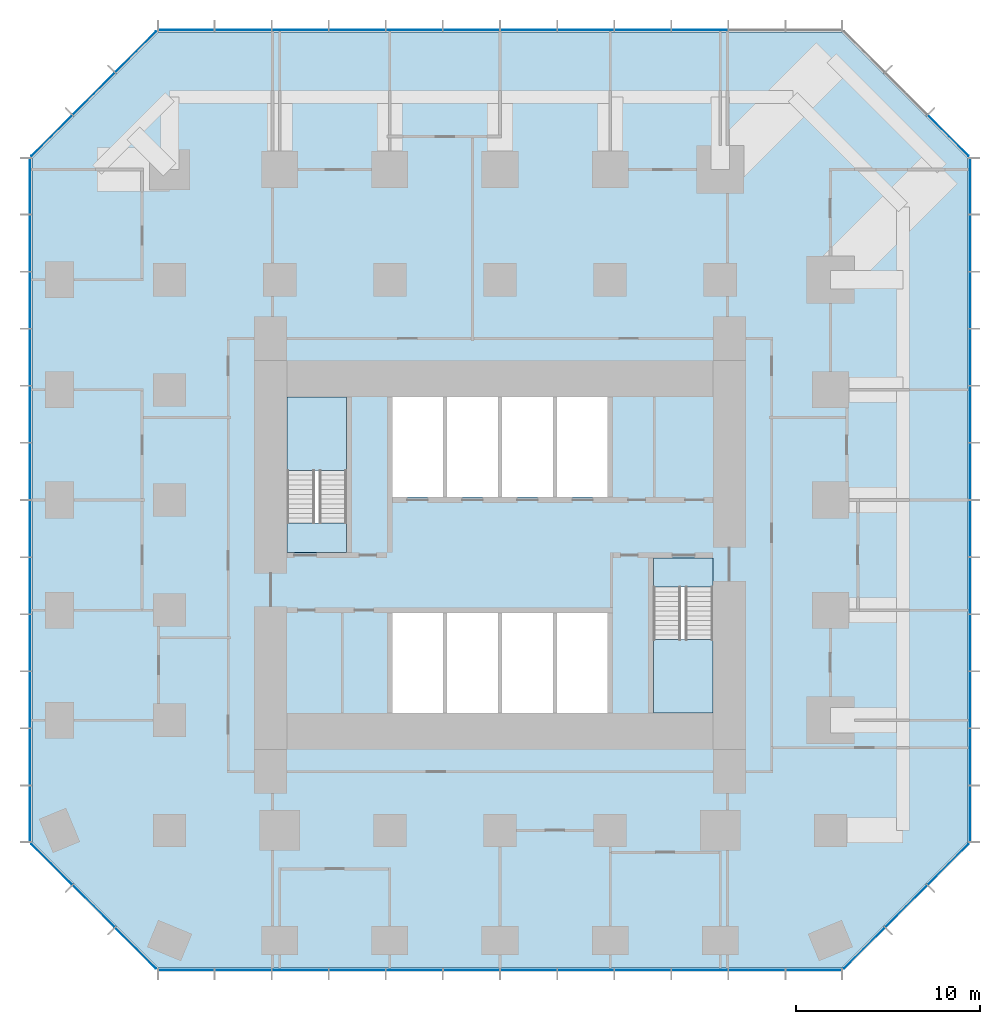
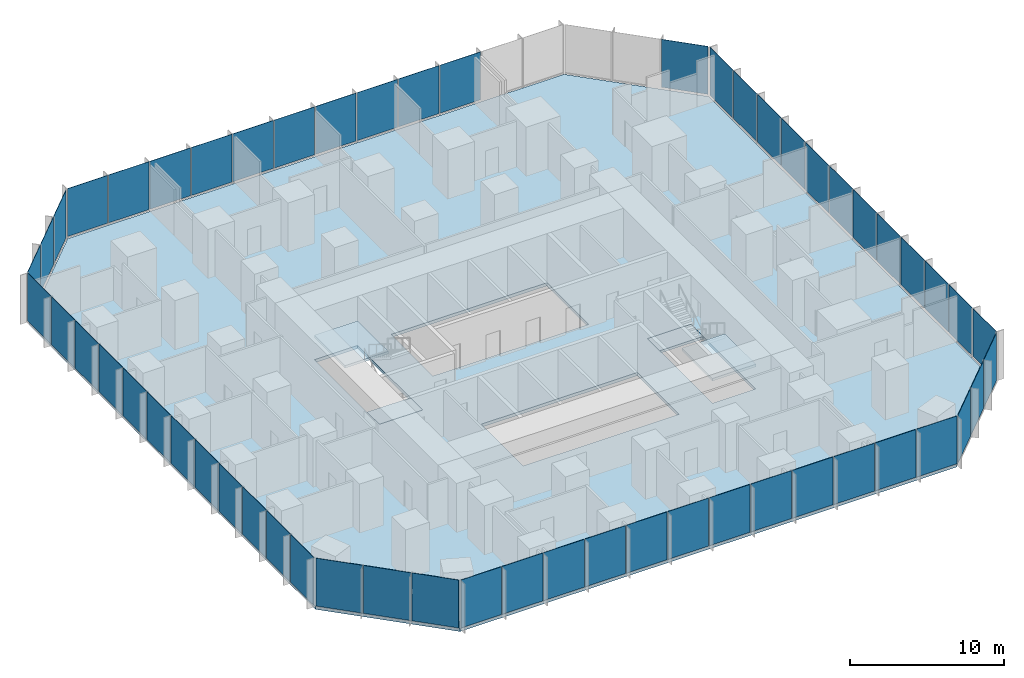
# One storey, part 7 of 12: 56 plates, 5 slabs, 10 elements without a shape of their own.
"""IFC4 building model written with IfcOpenShell, lengths in metres."""

import ifcopenshell
import ifcopenshell.guid

model = None  # the IFC model being written
_history = None  # IfcOwnerHistory: only IFC2X3 demands one
_inside = {}  # id of a spatial element -> (the spatial element, [elements in it])
_under = {}  # id of a project, library or spatial element -> (it, [spatial elements below it])
_declared = {}  # id of a project -> (the project, [libraries it declares])
_typed = {}  # id of a type object -> (the type object, [elements of that type])
_made_of = {}  # id of a material, layer set ... -> (it, [elements and type objects made of it])


def new_model(schema):
    """Start an empty IFC model of exactly this schema.

    Asked for "IFC4X3", IfcOpenShell would pick the latest addendum, in which some entities
    have other attributes; the version numbers below select the first issue.
    IFC2X3 requires an IfcOwnerHistory on every rooted entity: one is made here for all.
    """
    global model, _history
    if schema == "IFC4X3":
        model = ifcopenshell.file(schema_version=(4, 3, 0, 0))
    else:
        model = ifcopenshell.file(schema=schema)
    _inside.clear()
    _under.clear()
    _declared.clear()
    _typed.clear()
    _made_of.clear()
    _history = None
    if model.schema == "IFC2X3":
        org = make("IfcOrganization", Name="unknown")
        user = make(
            "IfcPersonAndOrganization",
            ThePerson=make("IfcPerson", FamilyName="unknown"),
            TheOrganization=org,
        )
        app = make(
            "IfcApplication",
            ApplicationDeveloper=org,
            Version="unknown",
            ApplicationFullName="unknown",
            ApplicationIdentifier="unknown",
        )
        _history = make(
            "IfcOwnerHistory",
            OwningUser=user,
            OwningApplication=app,
            ChangeAction="ADDED",
            CreationDate=0,
        )
    return model


def make(cls, **values):
    """One entity of the class cls with the attributes given. An attribute that is None is left unset."""
    return model.create_entity(
        cls, **{name: value for name, value in values.items() if value is not None}
    )


def rooted(cls, **values):
    """An entity with a GlobalId (a new one), such as an element, a storey or a relation."""
    return make(cls, GlobalId=ifcopenshell.guid.new(), OwnerHistory=_history, **values)


def si_unit(unit_type, name, prefix=None):
    """IfcSIUnit, for example si_unit("LENGTHUNIT", "METRE", prefix="MILLI")."""
    return make("IfcSIUnit", UnitType=unit_type, Prefix=prefix, Name=name)


def assignment(units):
    """IfcUnitAssignment: the units of a project."""
    return None if units is None else make("IfcUnitAssignment", Units=units)


def point(xyz):
    """IfcCartesianPoint."""
    return None if xyz is None else make("IfcCartesianPoint", Coordinates=xyz)


def direction(xyz):
    """IfcDirection."""
    return None if xyz is None else make("IfcDirection", DirectionRatios=xyz)


def frame(location, z_axis=None, x_axis=None):
    """IfcAxis2Placement3D, a coordinate frame: its origin and axes. An axis left out is left unset."""
    return make(
        "IfcAxis2Placement3D",
        Location=point(location),
        Axis=direction(z_axis),
        RefDirection=direction(x_axis),
    )


def frame_2d(location, x_axis=None):
    """IfcAxis2Placement2D, a coordinate frame in the plane: its origin and x axis."""
    return make(
        "IfcAxis2Placement2D", Location=point(location), RefDirection=direction(x_axis)
    )


def origin():
    """The frame at (0, 0, 0) with its axes left unset."""
    return frame((0.0, 0.0, 0.0))


def origin_2d():
    """The frame at (0, 0) in the plane with its x axis left unset."""
    return frame_2d((0.0, 0.0))


def place(relative_to, where):
    """IfcLocalPlacement: puts the frame where relative to a parent placement (None: the world)."""
    return make(
        "IfcLocalPlacement", PlacementRelTo=relative_to, RelativePlacement=where
    )


def context(
    kind, dimensions, precision=None, world=None, true_north=None, identifier=None
):
    """IfcGeometricRepresentationContext, for example the 3D "Model" context."""
    return make(
        "IfcGeometricRepresentationContext",
        ContextIdentifier=identifier,
        ContextType=kind,
        CoordinateSpaceDimension=dimensions,
        Precision=precision,
        WorldCoordinateSystem=world,
        TrueNorth=true_north,
    )


def subcontext(parent, identifier, kind, view, scale=None):
    """IfcGeometricRepresentationSubContext, for example "Body" below "Model"."""
    return make(
        "IfcGeometricRepresentationSubContext",
        ContextIdentifier=identifier,
        ContextType=kind,
        ParentContext=parent,
        TargetScale=scale,
        TargetView=view,
    )


def project(units=None, contexts=None):
    """IfcProject with its units and contexts."""
    return rooted(
        "IfcProject",
        Name="project",
        RepresentationContexts=contexts,
        UnitsInContext=assignment(units),
    )


def spatial(cls, under=None, at=None, **own):
    """A site, building, storey or space (cls), placed at a placement, below another one or the project."""
    s = rooted(cls, ObjectPlacement=at, **own)
    if under is not None:
        _under.setdefault(under.id(), (under, []))[1].append(s)
    return s


def polyline(points):
    """IfcPolyline through the points."""
    return make("IfcPolyline", Points=[point(p) for p in points])


def profile(cls, at=None, kind="AREA", **sizes):
    """A parametric profile (cls). Its sizes go by their IFC names, for example OverallWidth=200.0."""
    return make(cls, ProfileType=kind, Position=at, **sizes)


def rectangle(**sizes):
    """IfcRectangleProfileDef."""
    return profile("IfcRectangleProfileDef", **sizes)


def outline(outer, holes=None, kind="AREA"):
    """IfcArbitraryClosedProfileDef: a profile drawn as a closed curve; with holes, ...WithVoids."""
    if holes is None:
        return make("IfcArbitraryClosedProfileDef", ProfileType=kind, OuterCurve=outer)
    return make(
        "IfcArbitraryProfileDefWithVoids",
        ProfileType=kind,
        OuterCurve=outer,
        InnerCurves=holes,
    )


def extrude(swept, where, along, depth):
    """IfcExtrudedAreaSolid: the profile swept, set in the frame where, extruded along a direction by depth."""
    return make(
        "IfcExtrudedAreaSolid",
        SweptArea=swept,
        Position=where,
        ExtrudedDirection=direction(along),
        Depth=depth,
    )


def shape(context_of_items, identifier, shape_type, items):
    """IfcShapeRepresentation: the items that make up one representation, for example the "Body"."""
    return make(
        "IfcShapeRepresentation",
        ContextOfItems=context_of_items,
        RepresentationIdentifier=identifier,
        RepresentationType=shape_type,
        Items=items,
    )


def material(Name=None, Category=None):
    """IfcMaterial."""
    return make("IfcMaterial", Name=Name, Category=Category)


def layer(
    of_material, thickness, ventilated=None, Name=None, Category=None, Priority=None
):
    """IfcMaterialLayer: one layer of a wall or slab, of a material (None: an air gap)."""
    return make(
        "IfcMaterialLayer",
        Material=of_material,
        LayerThickness=thickness,
        IsVentilated=ventilated,
        Name=Name,
        Category=Category,
        Priority=Priority,
    )


def layer_set(layers, Name=None):
    """IfcMaterialLayerSet."""
    return make("IfcMaterialLayerSet", MaterialLayers=layers, LayerSetName=Name)


def made_of(thing, what):
    """Note that an element or type object is made of a material, layer set ...; save() writes the relation."""
    if what is not None:
        _made_of.setdefault(what.id(), (what, []))[1].append(thing)
    return thing


def type_object(cls, material=None, **own):
    """A type object (cls), such as IfcWallType, which elements share."""
    return made_of(rooted(cls, **own), material)


def element(
    cls,
    number,
    at=None,
    inside=None,
    cuts=None,
    type_object=None,
    material=None,
    context=None,
    identifier="Body",
    shape_type=None,
    held_by="IfcProductDefinitionShape",
    body=None,
    shapes=None,
    **own,
):
    """One element of the class cls, such as IfcWall. Its Tag is "e" and its number.

    at: its placement. inside: the storey or other place that contains it. cuts: it is an
    opening in that element (IfcRelVoidsElement). A single representation is given by context,
    identifier, shape_type and body (its items); several are given by shapes. held_by: the class
    of the entity that holds the representations. save() writes the other relations.
    """
    e = rooted(cls, Tag="e%d" % number, ObjectPlacement=at, **own)
    if body is not None:
        shapes = [shape(context, identifier, shape_type, body)]
    if shapes is not None:
        e.Representation = make(held_by, Representations=shapes)
    if inside is not None:
        _inside.setdefault(inside.id(), (inside, []))[1].append(e)
    if cuts is not None:
        rooted(
            "IfcRelVoidsElement", RelatingBuildingElement=cuts, RelatedOpeningElement=e
        )
    if type_object is not None:
        _typed.setdefault(type_object.id(), (type_object, []))[1].append(e)
    return made_of(e, material)


def aggregate(whole, parts):
    """IfcRelAggregates: a whole, such as a stair, and the parts it consists of."""
    return rooted("IfcRelAggregates", RelatingObject=whole, RelatedObjects=parts)


def save(model, path):
    """Write the relations noted so far, then the file.

    IfcRelAggregates (storeys below a building ...), IfcRelContainedInSpatialStructure (elements
    in a storey), IfcRelDefinesByType, IfcRelAssociatesMaterial and IfcRelDeclares: one each for
    every whole, place, type object, material and project.
    """
    for whole, parts in _under.values():
        aggregate(whole, parts)
    for where, things in _inside.values():
        rooted(
            "IfcRelContainedInSpatialStructure",
            RelatedElements=things,
            RelatingStructure=where,
        )
    for kind, things in _typed.values():
        rooted("IfcRelDefinesByType", RelatedObjects=things, RelatingType=kind)
    for what, things in _made_of.values():
        rooted("IfcRelAssociatesMaterial", RelatedObjects=things, RelatingMaterial=what)
    for by, libraries in _declared.values():
        rooted("IfcRelDeclares", RelatingContext=by, RelatedDefinitions=libraries)
    model.write(path)


model = new_model("IFC4")

# Units and contexts
model_context = context("Model", 3, precision=1e-05, world=origin(), true_north=direction((0.0, 1.0)))
body_context = subcontext(model_context, "Body", "Model", "MODEL_VIEW")
ifc_project = project(units=[si_unit("LENGTHUNIT", "METRE"), si_unit("AREAUNIT", "SQUARE_METRE"), si_unit("VOLUMEUNIT", "CUBIC_METRE"), si_unit("PLANEANGLEUNIT", "RADIAN"), si_unit("MASSUNIT", "GRAM", prefix="KILO")], contexts=[model_context])

# Site, building, storey
site_placement = place(None, origin())
site = spatial("IfcSite", under=ifc_project, at=site_placement, CompositionType="ELEMENT")
building_placement = place(site_placement, origin())
building = spatial("IfcBuilding", under=site, at=building_placement, Name="Highveld Stack Headquarters", CompositionType="ELEMENT")
storey_placement = place(building_placement, frame((0.0, 0.0, 68.89990234375)))
storey = spatial("IfcBuildingStorey", under=building, at=storey_placement, Name="L16", CompositionType="ELEMENT", Elevation=68.89990234375)

# Curtain wall, plates
ifc_material_1 = material(Name="Aluminium bronze anodised", Category="aluminium")
ifc_layer_1 = layer(ifc_material_1, 0.199951171875)
ifc_layer_set_1 = layer_set([ifc_layer_1], Name="Aluminium bronze anodised")
curtain_wall_type_1 = type_object("IfcCurtainWallType", Name="CW1 TOWER UNITISED CURTAIN WALL", PredefinedType="NOTDEFINED", material=ifc_layer_set_1)
curtain_wall_1_placement = place(storey_placement, origin())
curtain_wall_1 = element("IfcCurtainWall", 1, at=curtain_wall_1_placement, inside=storey, type_object=curtain_wall_type_1, Name="Curtain wall CW1 L16 S", PredefinedType="NOTDEFINED")
ifc_material_2 = material(Name="Glass bronze tinted double glazed unit", Category="glass")
ifc_layer_2 = layer(ifc_material_2, 0.028076171875)
ifc_layer_set_2 = layer_set([ifc_layer_2], Name="Glass bronze tinted double glazed unit")
plate_type_1 = type_object("IfcPlateType", Name="CW1 PANEL BRONZE TINTED DOUBLE GLAZED UNIT", PredefinedType="CURTAIN_PANEL", material=ifc_layer_set_2)
plate_1_placement = place(storey_placement, frame((-11.09130859375, -19.60009765625, 0.10009765625), z_axis=(0.0, 0.0, 1.0), x_axis=(1.0, 0.0, 0.0)))
plate_1 = element("IfcPlate", 2, at=plate_1_placement, type_object=plate_type_1, Name="CW1 panel L16 1.1", PredefinedType="CURTAIN_PANEL", context=body_context, shape_type="SweptSolid", body=[
    extrude(rectangle(XDim=3.012939453125, YDim=0.028076171875, at=origin_2d()), origin(), (0.0, 0.0, 1.0), 3.800048828125),
])
plate_2_placement = place(storey_placement, frame((-7.9970703125, -19.60009765625, 0.10009765625), z_axis=(0.0, 0.0, 1.0), x_axis=(1.0, 0.0, 0.0)))
plate_2 = element("IfcPlate", 3, at=plate_2_placement, type_object=plate_type_1, Name="CW1 panel L16 2.1", PredefinedType="CURTAIN_PANEL", context=body_context, shape_type="SweptSolid", body=[
    extrude(rectangle(XDim=3.04541015625, YDim=0.028076171875, at=origin_2d()), origin(), (0.0, 0.0, 1.0), 3.800048828125),
])
plate_3_placement = place(storey_placement, frame((-4.88671875, -19.60009765625, 0.10009765625), z_axis=(0.0, 0.0, 1.0), x_axis=(1.0, 0.0, 0.0)))
plate_3 = element("IfcPlate", 4, at=plate_3_placement, type_object=plate_type_1, Name="CW1 panel L16 3.1", PredefinedType="CURTAIN_PANEL", context=body_context, shape_type="SweptSolid", body=[
    extrude(rectangle(XDim=3.04541015625, YDim=0.028076171875, at=origin_2d()), origin(), (0.0, 0.0, 1.0), 3.800048828125),
])
plate_4_placement = place(storey_placement, frame((-1.776123046875, -19.60009765625, 0.10009765625), z_axis=(0.0, 0.0, 1.0), x_axis=(1.0, 0.0, 0.0)))
plate_4 = element("IfcPlate", 5, at=plate_4_placement, type_object=plate_type_1, Name="CW1 panel L16 4.1", PredefinedType="CURTAIN_PANEL", context=body_context, shape_type="SweptSolid", body=[
    extrude(rectangle(XDim=3.04541015625, YDim=0.028076171875, at=origin_2d()), origin(), (0.0, 0.0, 1.0), 3.800048828125),
])
plate_5_placement = place(storey_placement, frame((1.334228515625, -19.60009765625, 0.10009765625), z_axis=(0.0, 0.0, 1.0), x_axis=(1.0, 0.0, 0.0)))
plate_5 = element("IfcPlate", 6, at=plate_5_placement, type_object=plate_type_1, Name="CW1 panel L16 5.1", PredefinedType="CURTAIN_PANEL", context=body_context, shape_type="SweptSolid", body=[
    extrude(rectangle(XDim=3.04541015625, YDim=0.028076171875, at=origin_2d()), origin(), (0.0, 0.0, 1.0), 3.800048828125),
])
plate_6_placement = place(storey_placement, frame((4.44482421875, -19.60009765625, 0.10009765625), z_axis=(0.0, 0.0, 1.0), x_axis=(1.0, 0.0, 0.0)))
plate_6 = element("IfcPlate", 7, at=plate_6_placement, type_object=plate_type_1, Name="CW1 panel L16 6.1", PredefinedType="CURTAIN_PANEL", context=body_context, shape_type="SweptSolid", body=[
    extrude(rectangle(XDim=3.04541015625, YDim=0.028076171875, at=origin_2d()), origin(), (0.0, 0.0, 1.0), 3.800048828125),
])
plate_7_placement = place(storey_placement, frame((7.55517578125, -19.60009765625, 0.10009765625), z_axis=(0.0, 0.0, 1.0), x_axis=(1.0, 0.0, 0.0)))
plate_7 = element("IfcPlate", 8, at=plate_7_placement, type_object=plate_type_1, Name="CW1 panel L16 7.1", PredefinedType="CURTAIN_PANEL", context=body_context, shape_type="SweptSolid", body=[
    extrude(rectangle(XDim=3.04541015625, YDim=0.028076171875, at=origin_2d()), origin(), (0.0, 0.0, 1.0), 3.800048828125),
])
plate_8_placement = place(storey_placement, frame((10.665771484375, -19.60009765625, 0.10009765625), z_axis=(0.0, 0.0, 1.0), x_axis=(1.0, 0.0, 0.0)))
plate_8 = element("IfcPlate", 9, at=plate_8_placement, type_object=plate_type_1, Name="CW1 panel L16 8.1", PredefinedType="CURTAIN_PANEL", context=body_context, shape_type="SweptSolid", body=[
    extrude(rectangle(XDim=3.04541015625, YDim=0.028076171875, at=origin_2d()), origin(), (0.0, 0.0, 1.0), 3.800048828125),
])
plate_9_placement = place(storey_placement, frame((13.776123046875, -19.60009765625, 0.10009765625), z_axis=(0.0, 0.0, 1.0), x_axis=(1.0, 0.0, 0.0)))
plate_9 = element("IfcPlate", 10, at=plate_9_placement, type_object=plate_type_1, Name="CW1 panel L16 9.1", PredefinedType="CURTAIN_PANEL", context=body_context, shape_type="SweptSolid", body=[
    extrude(rectangle(XDim=3.04541015625, YDim=0.028076171875, at=origin_2d()), origin(), (0.0, 0.0, 1.0), 3.800048828125),
])
plate_10_placement = place(storey_placement, frame((16.88671875, -19.60009765625, 0.10009765625), z_axis=(0.0, 0.0, 1.0), x_axis=(1.0, 0.0, 0.0)))
plate_10 = element("IfcPlate", 11, at=plate_10_placement, type_object=plate_type_1, Name="CW1 panel L16 10.1", PredefinedType="CURTAIN_PANEL", context=body_context, shape_type="SweptSolid", body=[
    extrude(rectangle(XDim=3.04541015625, YDim=0.028076171875, at=origin_2d()), origin(), (0.0, 0.0, 1.0), 3.800048828125),
])
plate_11_placement = place(storey_placement, frame((19.9970703125, -19.60009765625, 0.10009765625), z_axis=(0.0, 0.0, 1.0), x_axis=(1.0, 0.0, 0.0)))
plate_11 = element("IfcPlate", 12, at=plate_11_placement, type_object=plate_type_1, Name="CW1 panel L16 11.1", PredefinedType="CURTAIN_PANEL", context=body_context, shape_type="SweptSolid", body=[
    extrude(rectangle(XDim=3.04541015625, YDim=0.028076171875, at=origin_2d()), origin(), (0.0, 0.0, 1.0), 3.800048828125),
])
plate_12_placement = place(storey_placement, frame((23.09130859375, -19.60009765625, 0.10009765625), z_axis=(0.0, 0.0, 1.0), x_axis=(1.0, 0.0, 0.0)))
plate_12 = element("IfcPlate", 13, at=plate_12_placement, type_object=plate_type_1, Name="CW1 panel L16 12.1", PredefinedType="CURTAIN_PANEL", context=body_context, shape_type="SweptSolid", body=[
    extrude(rectangle(XDim=3.012939453125, YDim=0.028076171875, at=origin_2d()), origin(), (0.0, 0.0, 1.0), 3.800048828125),
])
aggregate(curtain_wall_1, [plate_1, plate_2, plate_3, plate_4, plate_5, plate_6, plate_7, plate_8, plate_9, plate_10, plate_11, plate_12])

curtain_wall_2_placement = place(storey_placement, origin())
curtain_wall_2 = element("IfcCurtainWall", 14, at=curtain_wall_2_placement, inside=storey, type_object=curtain_wall_type_1, Name="Curtain wall CW1 L16 E", PredefinedType="NOTDEFINED")
plate_13_placement = place(storey_placement, frame((31.60009765625, -11.09130859375, 0.10009765625), z_axis=(0.0, 0.0, 1.0), x_axis=(0.0, 1.0, 0.0)))
plate_13 = element("IfcPlate", 15, at=plate_13_placement, type_object=plate_type_1, Name="CW1 panel L16 1.1", PredefinedType="CURTAIN_PANEL", context=body_context, shape_type="SweptSolid", body=[
    extrude(rectangle(XDim=3.012939453125, YDim=0.028076171875, at=origin_2d()), origin(), (0.0, 0.0, 1.0), 3.800048828125),
])
plate_14_placement = place(storey_placement, frame((31.60009765625, -7.9970703125, 0.10009765625), z_axis=(0.0, 0.0, 1.0), x_axis=(0.0, 1.0, 0.0)))
plate_14 = element("IfcPlate", 16, at=plate_14_placement, type_object=plate_type_1, Name="CW1 panel L16 2.1", PredefinedType="CURTAIN_PANEL", context=body_context, shape_type="SweptSolid", body=[
    extrude(rectangle(XDim=3.04541015625, YDim=0.028076171875, at=origin_2d()), origin(), (0.0, 0.0, 1.0), 3.800048828125),
])
plate_15_placement = place(storey_placement, frame((31.60009765625, -4.88671875, 0.10009765625), z_axis=(0.0, 0.0, 1.0), x_axis=(0.0, 1.0, 0.0)))
plate_15 = element("IfcPlate", 17, at=plate_15_placement, type_object=plate_type_1, Name="CW1 panel L16 3.1", PredefinedType="CURTAIN_PANEL", context=body_context, shape_type="SweptSolid", body=[
    extrude(rectangle(XDim=3.04541015625, YDim=0.028076171875, at=origin_2d()), origin(), (0.0, 0.0, 1.0), 3.800048828125),
])
plate_16_placement = place(storey_placement, frame((31.60009765625, -1.776123046875, 0.10009765625), z_axis=(0.0, 0.0, 1.0), x_axis=(0.0, 1.0, 0.0)))
plate_16 = element("IfcPlate", 18, at=plate_16_placement, type_object=plate_type_1, Name="CW1 panel L16 4.1", PredefinedType="CURTAIN_PANEL", context=body_context, shape_type="SweptSolid", body=[
    extrude(rectangle(XDim=3.04541015625, YDim=0.028076171875, at=origin_2d()), origin(), (0.0, 0.0, 1.0), 3.800048828125),
])
plate_17_placement = place(storey_placement, frame((31.60009765625, 1.334228515625, 0.10009765625), z_axis=(0.0, 0.0, 1.0), x_axis=(0.0, 1.0, 0.0)))
plate_17 = element("IfcPlate", 19, at=plate_17_placement, type_object=plate_type_1, Name="CW1 panel L16 5.1", PredefinedType="CURTAIN_PANEL", context=body_context, shape_type="SweptSolid", body=[
    extrude(rectangle(XDim=3.04541015625, YDim=0.028076171875, at=origin_2d()), origin(), (0.0, 0.0, 1.0), 3.800048828125),
])
plate_18_placement = place(storey_placement, frame((31.60009765625, 4.44482421875, 0.10009765625), z_axis=(0.0, 0.0, 1.0), x_axis=(0.0, 1.0, 0.0)))
plate_18 = element("IfcPlate", 20, at=plate_18_placement, type_object=plate_type_1, Name="CW1 panel L16 6.1", PredefinedType="CURTAIN_PANEL", context=body_context, shape_type="SweptSolid", body=[
    extrude(rectangle(XDim=3.04541015625, YDim=0.028076171875, at=origin_2d()), origin(), (0.0, 0.0, 1.0), 3.800048828125),
])
plate_19_placement = place(storey_placement, frame((31.60009765625, 7.55517578125, 0.10009765625), z_axis=(0.0, 0.0, 1.0), x_axis=(0.0, 1.0, 0.0)))
plate_19 = element("IfcPlate", 21, at=plate_19_placement, type_object=plate_type_1, Name="CW1 panel L16 7.1", PredefinedType="CURTAIN_PANEL", context=body_context, shape_type="SweptSolid", body=[
    extrude(rectangle(XDim=3.04541015625, YDim=0.028076171875, at=origin_2d()), origin(), (0.0, 0.0, 1.0), 3.800048828125),
])
plate_20_placement = place(storey_placement, frame((31.60009765625, 10.665771484375, 0.10009765625), z_axis=(0.0, 0.0, 1.0), x_axis=(0.0, 1.0, 0.0)))
plate_20 = element("IfcPlate", 22, at=plate_20_placement, type_object=plate_type_1, Name="CW1 panel L16 8.1", PredefinedType="CURTAIN_PANEL", context=body_context, shape_type="SweptSolid", body=[
    extrude(rectangle(XDim=3.04541015625, YDim=0.028076171875, at=origin_2d()), origin(), (0.0, 0.0, 1.0), 3.800048828125),
])
plate_21_placement = place(storey_placement, frame((31.60009765625, 13.776123046875, 0.10009765625), z_axis=(0.0, 0.0, 1.0), x_axis=(0.0, 1.0, 0.0)))
plate_21 = element("IfcPlate", 23, at=plate_21_placement, type_object=plate_type_1, Name="CW1 panel L16 9.1", PredefinedType="CURTAIN_PANEL", context=body_context, shape_type="SweptSolid", body=[
    extrude(rectangle(XDim=3.04541015625, YDim=0.028076171875, at=origin_2d()), origin(), (0.0, 0.0, 1.0), 3.800048828125),
])
plate_22_placement = place(storey_placement, frame((31.60009765625, 16.88671875, 0.10009765625), z_axis=(0.0, 0.0, 1.0), x_axis=(0.0, 1.0, 0.0)))
plate_22 = element("IfcPlate", 24, at=plate_22_placement, type_object=plate_type_1, Name="CW1 panel L16 10.1", PredefinedType="CURTAIN_PANEL", context=body_context, shape_type="SweptSolid", body=[
    extrude(rectangle(XDim=3.04541015625, YDim=0.028076171875, at=origin_2d()), origin(), (0.0, 0.0, 1.0), 3.800048828125),
])
plate_23_placement = place(storey_placement, frame((31.60009765625, 19.9970703125, 0.10009765625), z_axis=(0.0, 0.0, 1.0), x_axis=(0.0, 1.0, 0.0)))
plate_23 = element("IfcPlate", 25, at=plate_23_placement, type_object=plate_type_1, Name="CW1 panel L16 11.1", PredefinedType="CURTAIN_PANEL", context=body_context, shape_type="SweptSolid", body=[
    extrude(rectangle(XDim=3.04541015625, YDim=0.028076171875, at=origin_2d()), origin(), (0.0, 0.0, 1.0), 3.800048828125),
])
plate_24_placement = place(storey_placement, frame((31.60009765625, 23.09130859375, 0.10009765625), z_axis=(0.0, 0.0, 1.0), x_axis=(0.0, 1.0, 0.0)))
plate_24 = element("IfcPlate", 26, at=plate_24_placement, type_object=plate_type_1, Name="CW1 panel L16 12.1", PredefinedType="CURTAIN_PANEL", context=body_context, shape_type="SweptSolid", body=[
    extrude(rectangle(XDim=3.012939453125, YDim=0.028076171875, at=origin_2d()), origin(), (0.0, 0.0, 1.0), 3.800048828125),
])
aggregate(curtain_wall_2, [plate_13, plate_14, plate_15, plate_16, plate_17, plate_18, plate_19, plate_20, plate_21, plate_22, plate_23, plate_24])

curtain_wall_3_placement = place(storey_placement, origin())
curtain_wall_3 = element("IfcCurtainWall", 27, at=curtain_wall_3_placement, inside=storey, type_object=curtain_wall_type_1, Name="Curtain wall CW1 L16 N", PredefinedType="NOTDEFINED")
plate_25_placement = place(storey_placement, frame((16.88671875, 31.60009765625, 0.10009765625), z_axis=(0.0, 0.0, 1.0), x_axis=(-1.0, 0.0, 0.0)))
plate_25 = element("IfcPlate", 28, at=plate_25_placement, type_object=plate_type_1, Name="CW1 panel L16 3.1", PredefinedType="CURTAIN_PANEL", context=body_context, shape_type="SweptSolid", body=[
    extrude(rectangle(XDim=3.04541015625, YDim=0.028076171875, at=origin_2d()), origin(), (0.0, 0.0, 1.0), 3.800048828125),
])
plate_26_placement = place(storey_placement, frame((13.776123046875, 31.60009765625, 0.10009765625), z_axis=(0.0, 0.0, 1.0), x_axis=(-1.0, 0.0, 0.0)))
plate_26 = element("IfcPlate", 29, at=plate_26_placement, type_object=plate_type_1, Name="CW1 panel L16 4.1", PredefinedType="CURTAIN_PANEL", context=body_context, shape_type="SweptSolid", body=[
    extrude(rectangle(XDim=3.04541015625, YDim=0.028076171875, at=origin_2d()), origin(), (0.0, 0.0, 1.0), 3.800048828125),
])
plate_27_placement = place(storey_placement, frame((10.665771484375, 31.60009765625, 0.10009765625), z_axis=(0.0, 0.0, 1.0), x_axis=(-1.0, 0.0, 0.0)))
plate_27 = element("IfcPlate", 30, at=plate_27_placement, type_object=plate_type_1, Name="CW1 panel L16 5.1", PredefinedType="CURTAIN_PANEL", context=body_context, shape_type="SweptSolid", body=[
    extrude(rectangle(XDim=3.04541015625, YDim=0.028076171875, at=origin_2d()), origin(), (0.0, 0.0, 1.0), 3.800048828125),
])
plate_28_placement = place(storey_placement, frame((7.55517578125, 31.60009765625, 0.10009765625), z_axis=(0.0, 0.0, 1.0), x_axis=(-1.0, 0.0, 0.0)))
plate_28 = element("IfcPlate", 31, at=plate_28_placement, type_object=plate_type_1, Name="CW1 panel L16 6.1", PredefinedType="CURTAIN_PANEL", context=body_context, shape_type="SweptSolid", body=[
    extrude(rectangle(XDim=3.04541015625, YDim=0.028076171875, at=origin_2d()), origin(), (0.0, 0.0, 1.0), 3.800048828125),
])
plate_29_placement = place(storey_placement, frame((4.44482421875, 31.60009765625, 0.10009765625), z_axis=(0.0, 0.0, 1.0), x_axis=(-1.0, 0.0, 0.0)))
plate_29 = element("IfcPlate", 32, at=plate_29_placement, type_object=plate_type_1, Name="CW1 panel L16 7.1", PredefinedType="CURTAIN_PANEL", context=body_context, shape_type="SweptSolid", body=[
    extrude(rectangle(XDim=3.04541015625, YDim=0.028076171875, at=origin_2d()), origin(), (0.0, 0.0, 1.0), 3.800048828125),
])
plate_30_placement = place(storey_placement, frame((1.334228515625, 31.60009765625, 0.10009765625), z_axis=(0.0, 0.0, 1.0), x_axis=(-1.0, 0.0, 0.0)))
plate_30 = element("IfcPlate", 33, at=plate_30_placement, type_object=plate_type_1, Name="CW1 panel L16 8.1", PredefinedType="CURTAIN_PANEL", context=body_context, shape_type="SweptSolid", body=[
    extrude(rectangle(XDim=3.04541015625, YDim=0.028076171875, at=origin_2d()), origin(), (0.0, 0.0, 1.0), 3.800048828125),
])
plate_31_placement = place(storey_placement, frame((-1.776123046875, 31.60009765625, 0.10009765625), z_axis=(0.0, 0.0, 1.0), x_axis=(-1.0, 0.0, 0.0)))
plate_31 = element("IfcPlate", 34, at=plate_31_placement, type_object=plate_type_1, Name="CW1 panel L16 9.1", PredefinedType="CURTAIN_PANEL", context=body_context, shape_type="SweptSolid", body=[
    extrude(rectangle(XDim=3.04541015625, YDim=0.028076171875, at=origin_2d()), origin(), (0.0, 0.0, 1.0), 3.800048828125),
])
plate_32_placement = place(storey_placement, frame((-4.88671875, 31.60009765625, 0.10009765625), z_axis=(0.0, 0.0, 1.0), x_axis=(-1.0, 0.0, 0.0)))
plate_32 = element("IfcPlate", 35, at=plate_32_placement, type_object=plate_type_1, Name="CW1 panel L16 10.1", PredefinedType="CURTAIN_PANEL", context=body_context, shape_type="SweptSolid", body=[
    extrude(rectangle(XDim=3.04541015625, YDim=0.028076171875, at=origin_2d()), origin(), (0.0, 0.0, 1.0), 3.800048828125),
])
plate_33_placement = place(storey_placement, frame((-7.9970703125, 31.60009765625, 0.10009765625), z_axis=(0.0, 0.0, 1.0), x_axis=(-1.0, 0.0, 0.0)))
plate_33 = element("IfcPlate", 36, at=plate_33_placement, type_object=plate_type_1, Name="CW1 panel L16 11.1", PredefinedType="CURTAIN_PANEL", context=body_context, shape_type="SweptSolid", body=[
    extrude(rectangle(XDim=3.04541015625, YDim=0.028076171875, at=origin_2d()), origin(), (0.0, 0.0, 1.0), 3.800048828125),
])
plate_34_placement = place(storey_placement, frame((-11.09130859375, 31.60009765625, 0.10009765625), z_axis=(0.0, 0.0, 1.0), x_axis=(-1.0, 0.0, 0.0)))
plate_34 = element("IfcPlate", 37, at=plate_34_placement, type_object=plate_type_1, Name="CW1 panel L16 12.1", PredefinedType="CURTAIN_PANEL", context=body_context, shape_type="SweptSolid", body=[
    extrude(rectangle(XDim=3.012939453125, YDim=0.028076171875, at=origin_2d()), origin(), (0.0, 0.0, 1.0), 3.800048828125),
])
aggregate(curtain_wall_3, [plate_25, plate_26, plate_27, plate_28, plate_29, plate_30, plate_31, plate_32, plate_33, plate_34])

curtain_wall_4_placement = place(storey_placement, origin())
curtain_wall_4 = element("IfcCurtainWall", 38, at=curtain_wall_4_placement, inside=storey, type_object=curtain_wall_type_1, Name="Curtain wall CW1 L16 W", PredefinedType="NOTDEFINED")
plate_35_placement = place(storey_placement, frame((-19.60009765625, 23.09130859375, 0.10009765625), z_axis=(0.0, 0.0, 1.0), x_axis=(0.0, -1.0, 0.0)))
plate_35 = element("IfcPlate", 39, at=plate_35_placement, type_object=plate_type_1, Name="CW1 panel L16 1.1", PredefinedType="CURTAIN_PANEL", context=body_context, shape_type="SweptSolid", body=[
    extrude(rectangle(XDim=3.012939453125, YDim=0.028076171875, at=origin_2d()), origin(), (0.0, 0.0, 1.0), 3.800048828125),
])
plate_36_placement = place(storey_placement, frame((-19.60009765625, 19.9970703125, 0.10009765625), z_axis=(0.0, 0.0, 1.0), x_axis=(0.0, -1.0, 0.0)))
plate_36 = element("IfcPlate", 40, at=plate_36_placement, type_object=plate_type_1, Name="CW1 panel L16 2.1", PredefinedType="CURTAIN_PANEL", context=body_context, shape_type="SweptSolid", body=[
    extrude(rectangle(XDim=3.04541015625, YDim=0.028076171875, at=origin_2d()), origin(), (0.0, 0.0, 1.0), 3.800048828125),
])
plate_37_placement = place(storey_placement, frame((-19.60009765625, 16.88671875, 0.10009765625), z_axis=(0.0, 0.0, 1.0), x_axis=(0.0, -1.0, 0.0)))
plate_37 = element("IfcPlate", 41, at=plate_37_placement, type_object=plate_type_1, Name="CW1 panel L16 3.1", PredefinedType="CURTAIN_PANEL", context=body_context, shape_type="SweptSolid", body=[
    extrude(rectangle(XDim=3.04541015625, YDim=0.028076171875, at=origin_2d()), origin(), (0.0, 0.0, 1.0), 3.800048828125),
])
plate_38_placement = place(storey_placement, frame((-19.60009765625, 13.776123046875, 0.10009765625), z_axis=(0.0, 0.0, 1.0), x_axis=(0.0, -1.0, 0.0)))
plate_38 = element("IfcPlate", 42, at=plate_38_placement, type_object=plate_type_1, Name="CW1 panel L16 4.1", PredefinedType="CURTAIN_PANEL", context=body_context, shape_type="SweptSolid", body=[
    extrude(rectangle(XDim=3.04541015625, YDim=0.028076171875, at=origin_2d()), origin(), (0.0, 0.0, 1.0), 3.800048828125),
])
plate_39_placement = place(storey_placement, frame((-19.60009765625, 10.665771484375, 0.10009765625), z_axis=(0.0, 0.0, 1.0), x_axis=(0.0, -1.0, 0.0)))
plate_39 = element("IfcPlate", 43, at=plate_39_placement, type_object=plate_type_1, Name="CW1 panel L16 5.1", PredefinedType="CURTAIN_PANEL", context=body_context, shape_type="SweptSolid", body=[
    extrude(rectangle(XDim=3.04541015625, YDim=0.028076171875, at=origin_2d()), origin(), (0.0, 0.0, 1.0), 3.800048828125),
])
plate_40_placement = place(storey_placement, frame((-19.60009765625, 7.55517578125, 0.10009765625), z_axis=(0.0, 0.0, 1.0), x_axis=(0.0, -1.0, 0.0)))
plate_40 = element("IfcPlate", 44, at=plate_40_placement, type_object=plate_type_1, Name="CW1 panel L16 6.1", PredefinedType="CURTAIN_PANEL", context=body_context, shape_type="SweptSolid", body=[
    extrude(rectangle(XDim=3.04541015625, YDim=0.028076171875, at=origin_2d()), origin(), (0.0, 0.0, 1.0), 3.800048828125),
])
plate_41_placement = place(storey_placement, frame((-19.60009765625, 4.44482421875, 0.10009765625), z_axis=(0.0, 0.0, 1.0), x_axis=(0.0, -1.0, 0.0)))
plate_41 = element("IfcPlate", 45, at=plate_41_placement, type_object=plate_type_1, Name="CW1 panel L16 7.1", PredefinedType="CURTAIN_PANEL", context=body_context, shape_type="SweptSolid", body=[
    extrude(rectangle(XDim=3.04541015625, YDim=0.028076171875, at=origin_2d()), origin(), (0.0, 0.0, 1.0), 3.800048828125),
])
plate_42_placement = place(storey_placement, frame((-19.60009765625, 1.334228515625, 0.10009765625), z_axis=(0.0, 0.0, 1.0), x_axis=(0.0, -1.0, 0.0)))
plate_42 = element("IfcPlate", 46, at=plate_42_placement, type_object=plate_type_1, Name="CW1 panel L16 8.1", PredefinedType="CURTAIN_PANEL", context=body_context, shape_type="SweptSolid", body=[
    extrude(rectangle(XDim=3.04541015625, YDim=0.028076171875, at=origin_2d()), origin(), (0.0, 0.0, 1.0), 3.800048828125),
])
plate_43_placement = place(storey_placement, frame((-19.60009765625, -1.776123046875, 0.10009765625), z_axis=(0.0, 0.0, 1.0), x_axis=(0.0, -1.0, 0.0)))
plate_43 = element("IfcPlate", 47, at=plate_43_placement, type_object=plate_type_1, Name="CW1 panel L16 9.1", PredefinedType="CURTAIN_PANEL", context=body_context, shape_type="SweptSolid", body=[
    extrude(rectangle(XDim=3.04541015625, YDim=0.028076171875, at=origin_2d()), origin(), (0.0, 0.0, 1.0), 3.800048828125),
])
plate_44_placement = place(storey_placement, frame((-19.60009765625, -4.88671875, 0.10009765625), z_axis=(0.0, 0.0, 1.0), x_axis=(0.0, -1.0, 0.0)))
plate_44 = element("IfcPlate", 48, at=plate_44_placement, type_object=plate_type_1, Name="CW1 panel L16 10.1", PredefinedType="CURTAIN_PANEL", context=body_context, shape_type="SweptSolid", body=[
    extrude(rectangle(XDim=3.04541015625, YDim=0.028076171875, at=origin_2d()), origin(), (0.0, 0.0, 1.0), 3.800048828125),
])
plate_45_placement = place(storey_placement, frame((-19.60009765625, -7.9970703125, 0.10009765625), z_axis=(0.0, 0.0, 1.0), x_axis=(0.0, -1.0, 0.0)))
plate_45 = element("IfcPlate", 49, at=plate_45_placement, type_object=plate_type_1, Name="CW1 panel L16 11.1", PredefinedType="CURTAIN_PANEL", context=body_context, shape_type="SweptSolid", body=[
    extrude(rectangle(XDim=3.04541015625, YDim=0.028076171875, at=origin_2d()), origin(), (0.0, 0.0, 1.0), 3.800048828125),
])
plate_46_placement = place(storey_placement, frame((-19.60009765625, -11.09130859375, 0.10009765625), z_axis=(0.0, 0.0, 1.0), x_axis=(0.0, -1.0, 0.0)))
plate_46 = element("IfcPlate", 50, at=plate_46_placement, type_object=plate_type_1, Name="CW1 panel L16 12.1", PredefinedType="CURTAIN_PANEL", context=body_context, shape_type="SweptSolid", body=[
    extrude(rectangle(XDim=3.012939453125, YDim=0.028076171875, at=origin_2d()), origin(), (0.0, 0.0, 1.0), 3.800048828125),
])
aggregate(curtain_wall_4, [plate_35, plate_36, plate_37, plate_38, plate_39, plate_40, plate_41, plate_42, plate_43, plate_44, plate_45, plate_46])

ifc_material_3 = material(Name="Aluminium bronze anodised", Category="aluminium")
ifc_layer_3 = layer(ifc_material_3, 0.199951171875)
ifc_layer_set_3 = layer_set([ifc_layer_3], Name="Aluminium bronze anodised")
curtain_wall_type_2 = type_object("IfcCurtainWallType", Name="CW2 TOWER CHAMFER UNITISED CURTAIN WALL", PredefinedType="NOTDEFINED", material=ifc_layer_set_3)
curtain_wall_5_placement = place(storey_placement, origin())
curtain_wall_5 = element("IfcCurtainWall", 51, at=curtain_wall_5_placement, inside=storey, type_object=curtain_wall_type_2, Name="Curtain wall CW2 L16 SE", PredefinedType="NOTDEFINED")
ifc_material_4 = material(Name="Glass bronze tinted double glazed unit", Category="glass")
ifc_layer_4 = layer(ifc_material_4, 0.028076171875)
ifc_layer_set_4 = layer_set([ifc_layer_4], Name="Glass bronze tinted double glazed unit")
plate_type_2 = type_object("IfcPlateType", Name="CW2 PANEL BRONZE TINTED DOUBLE GLAZED UNIT", PredefinedType="CURTAIN_PANEL", material=ifc_layer_set_4)
plate_47_placement = place(storey_placement, frame((25.8427734375, -18.419921875, 0.10009765625), z_axis=(0.0, 0.0, 1.0), x_axis=(0.707106781187, 0.707106781187, 0.0)))
plate_47 = element("IfcPlate", 52, at=plate_47_placement, type_object=plate_type_2, Name="CW2 panel L16 1.1", PredefinedType="CURTAIN_PANEL", context=body_context, shape_type="SweptSolid", body=[
    extrude(rectangle(XDim=3.1376953125, YDim=0.028076171875, at=origin_2d()), origin(), (0.0, 0.0, 1.0), 3.800048828125),
])
plate_48_placement = place(storey_placement, frame((28.13134765625, -16.13134765625, 0.10009765625), z_axis=(0.0, 0.0, 1.0), x_axis=(0.707106781187, 0.707106781187, 0.0)))
plate_48 = element("IfcPlate", 53, at=plate_48_placement, type_object=plate_type_2, Name="CW2 panel L16 2.1", PredefinedType="CURTAIN_PANEL", context=body_context, shape_type="SweptSolid", body=[
    extrude(rectangle(XDim=3.205322265625, YDim=0.028076171875, at=origin_2d()), origin(), (0.0, 0.0, 1.0), 3.800048828125),
])
plate_49_placement = place(storey_placement, frame((30.419921875, -13.8427734375, 0.10009765625), z_axis=(0.0, 0.0, 1.0), x_axis=(0.707106781187, 0.707106781187, 0.0)))
plate_49 = element("IfcPlate", 54, at=plate_49_placement, type_object=plate_type_2, Name="CW2 panel L16 3.1", PredefinedType="CURTAIN_PANEL", context=body_context, shape_type="SweptSolid", body=[
    extrude(rectangle(XDim=3.1376953125, YDim=0.028076171875, at=origin_2d()), origin(), (0.0, 0.0, 1.0), 3.800048828125),
])
aggregate(curtain_wall_5, [plate_47, plate_48, plate_49])

# Curtain wall, plate
curtain_wall_6_placement = place(storey_placement, origin())
curtain_wall_6 = element("IfcCurtainWall", 55, at=curtain_wall_6_placement, inside=storey, type_object=curtain_wall_type_2, Name="Curtain wall CW2 L16 NE", PredefinedType="NOTDEFINED")
plate_50_placement = place(storey_placement, frame((30.419921875, 25.8427734375, 0.10009765625), z_axis=(0.0, 0.0, 1.0), x_axis=(-0.707106781187, 0.707106781187, 0.0)))
plate_50 = element("IfcPlate", 56, at=plate_50_placement, type_object=plate_type_2, Name="CW2 panel L16 1.1", PredefinedType="CURTAIN_PANEL", context=body_context, shape_type="SweptSolid", body=[
    extrude(rectangle(XDim=3.1376953125, YDim=0.028076171875, at=origin_2d()), origin(), (0.0, 0.0, 1.0), 3.800048828125),
])
aggregate(curtain_wall_6, [plate_50])

# Curtain wall, plates
curtain_wall_7_placement = place(storey_placement, origin())
curtain_wall_7 = element("IfcCurtainWall", 57, at=curtain_wall_7_placement, inside=storey, type_object=curtain_wall_type_2, Name="Curtain wall CW2 L16 NW", PredefinedType="NOTDEFINED")
plate_51_placement = place(storey_placement, frame((-13.8427734375, 30.419921875, 0.10009765625), z_axis=(0.0, 0.0, 1.0), x_axis=(-0.707106781187, -0.707106781187, 0.0)))
plate_51 = element("IfcPlate", 58, at=plate_51_placement, type_object=plate_type_2, Name="CW2 panel L16 1.1", PredefinedType="CURTAIN_PANEL", context=body_context, shape_type="SweptSolid", body=[
    extrude(rectangle(XDim=3.1376953125, YDim=0.028076171875, at=origin_2d()), origin(), (0.0, 0.0, 1.0), 3.800048828125),
])
plate_52_placement = place(storey_placement, frame((-16.13134765625, 28.13134765625, 0.10009765625), z_axis=(0.0, 0.0, 1.0), x_axis=(-0.707106781187, -0.707106781187, 0.0)))
plate_52 = element("IfcPlate", 59, at=plate_52_placement, type_object=plate_type_2, Name="CW2 panel L16 2.1", PredefinedType="CURTAIN_PANEL", context=body_context, shape_type="SweptSolid", body=[
    extrude(rectangle(XDim=3.205322265625, YDim=0.028076171875, at=origin_2d()), origin(), (0.0, 0.0, 1.0), 3.800048828125),
])
plate_53_placement = place(storey_placement, frame((-18.419921875, 25.8427734375, 0.10009765625), z_axis=(0.0, 0.0, 1.0), x_axis=(-0.707106781187, -0.707106781187, 0.0)))
plate_53 = element("IfcPlate", 60, at=plate_53_placement, type_object=plate_type_2, Name="CW2 panel L16 3.1", PredefinedType="CURTAIN_PANEL", context=body_context, shape_type="SweptSolid", body=[
    extrude(rectangle(XDim=3.1376953125, YDim=0.028076171875, at=origin_2d()), origin(), (0.0, 0.0, 1.0), 3.800048828125),
])
aggregate(curtain_wall_7, [plate_51, plate_52, plate_53])

curtain_wall_8_placement = place(storey_placement, origin())
curtain_wall_8 = element("IfcCurtainWall", 61, at=curtain_wall_8_placement, inside=storey, type_object=curtain_wall_type_2, Name="Curtain wall CW2 L16 SW", PredefinedType="NOTDEFINED")
plate_54_placement = place(storey_placement, frame((-18.419921875, -13.8427734375, 0.10009765625), z_axis=(0.0, 0.0, 1.0), x_axis=(0.707106781187, -0.707106781187, 0.0)))
plate_54 = element("IfcPlate", 62, at=plate_54_placement, type_object=plate_type_2, Name="CW2 panel L16 1.1", PredefinedType="CURTAIN_PANEL", context=body_context, shape_type="SweptSolid", body=[
    extrude(rectangle(XDim=3.1376953125, YDim=0.028076171875, at=origin_2d()), origin(), (0.0, 0.0, 1.0), 3.800048828125),
])
plate_55_placement = place(storey_placement, frame((-16.13134765625, -16.13134765625, 0.10009765625), z_axis=(0.0, 0.0, 1.0), x_axis=(0.707106781187, -0.707106781187, 0.0)))
plate_55 = element("IfcPlate", 63, at=plate_55_placement, type_object=plate_type_2, Name="CW2 panel L16 2.1", PredefinedType="CURTAIN_PANEL", context=body_context, shape_type="SweptSolid", body=[
    extrude(rectangle(XDim=3.205322265625, YDim=0.028076171875, at=origin_2d()), origin(), (0.0, 0.0, 1.0), 3.800048828125),
])
plate_56_placement = place(storey_placement, frame((-13.8427734375, -18.419921875, 0.10009765625), z_axis=(0.0, 0.0, 1.0), x_axis=(0.707106781187, -0.707106781187, 0.0)))
plate_56 = element("IfcPlate", 64, at=plate_56_placement, type_object=plate_type_2, Name="CW2 panel L16 3.1", PredefinedType="CURTAIN_PANEL", context=body_context, shape_type="SweptSolid", body=[
    extrude(rectangle(XDim=3.1376953125, YDim=0.028076171875, at=origin_2d()), origin(), (0.0, 0.0, 1.0), 3.800048828125),
])
aggregate(curtain_wall_8, [plate_54, plate_55, plate_56])

# Slab
ifc_material_5 = material(Name="Concrete C60/75", Category="concrete")
ifc_layer_5 = layer(ifc_material_5, 0.25)
ifc_layer_set_5 = layer_set([ifc_layer_5], Name="Concrete C60/75")
slab_type_1 = type_object("IfcSlabType", Name="PT FLAT SLAB 250", PredefinedType="FLOOR", material=ifc_layer_set_5)
slab_1_placement = place(storey_placement, frame((0.0, 0.0, -0.25)))
element("IfcSlab", 65, at=slab_1_placement, inside=storey, type_object=slab_type_1, Name="Floor slab L16", PredefinedType="FLOOR", context=body_context, shape_type="SweptSolid", body=[
    extrude(outline(polyline([(-12.621337890625, -19.5), (24.621337890625, -19.5), (31.5, -12.621337890625), (31.5, 24.621337890625), (24.621337890625, 31.5), (-12.621337890625, 31.5), (-19.5, 24.621337890625), (-19.5, -12.621337890625), (-12.621337890625, -19.5)]), holes=[polyline([(0.14990234375, 6.14990234375), (11.85009765625, 6.14990234375), (11.85009765625, 11.60009765625), (0.14990234375, 11.60009765625), (0.14990234375, 6.14990234375)]), polyline([(0.14990234375, -5.60009765625), (11.85009765625, -5.60009765625), (11.85009765625, -0.14990234375), (0.14990234375, -0.14990234375), (0.14990234375, -5.60009765625)]), polyline([(-5.60009765625, 3.14990234375), (-2.35009765625, 3.14990234375), (-2.35009765625, 11.60009765625), (-5.60009765625, 11.60009765625), (-5.60009765625, 3.14990234375)]), polyline([(14.35009765625, -5.60009765625), (17.60009765625, -5.60009765625), (17.60009765625, 2.85009765625), (14.35009765625, 2.85009765625), (14.35009765625, -5.60009765625)])]), origin(), (0.0, 0.0, 1.0), 0.25),
])

# Stair, slabs
ifc_material_6 = material(Name="Concrete C40/50, precast", Category="concrete")
stair_type_1 = type_object("IfcStairType", Name="STAIR S1 HALF TURN 1500", PredefinedType="HALF_TURN_STAIR", material=ifc_material_6)
stair_1_placement = place(storey_placement, origin())
stair_1 = element("IfcStair", 66, at=stair_1_placement, inside=storey, type_object=stair_type_1, Name="Stair S1 L16", PredefinedType="HALF_TURN_STAIR")
ifc_material_7 = material(Name="Concrete C40/50, precast", Category="concrete")
ifc_layer_6 = layer(ifc_material_7, 0.199951171875)
ifc_layer_set_6 = layer_set([ifc_layer_6], Name="Concrete C40/50, precast")
slab_type_2 = type_object("IfcSlabType", Name="STAIR LANDING 200", PredefinedType="LANDING", material=ifc_layer_set_6)
slab_2_placement = place(storey_placement, frame((0.0, 0.0, 1.75)))
slab_2 = element("IfcSlab", 67, at=slab_2_placement, type_object=slab_type_2, Name="S1 landing 1", PredefinedType="LANDING", context=body_context, shape_type="SweptSolid", body=[
    extrude(outline(polyline([(-5.60009765625, 7.610107421875), (-2.35009765625, 7.610107421875), (-2.35009765625, 11.60009765625), (-5.60009765625, 11.60009765625), (-5.60009765625, 7.610107421875)])), origin(), (0.0, 0.0, 1.0), 0.2001953125),
])
slab_3_placement = place(storey_placement, frame((0.0, 0.0, -0.199951171875)))
slab_3 = element("IfcSlab", 68, at=slab_3_placement, type_object=slab_type_2, Name="S1 landing 2", PredefinedType="LANDING", context=body_context, shape_type="SweptSolid", body=[
    extrude(outline(polyline([(-5.60009765625, 3.14990234375), (-2.35009765625, 3.14990234375), (-2.35009765625, 4.75), (-5.60009765625, 4.75), (-5.60009765625, 3.14990234375)])), origin(), (0.0, 0.0, 1.0), 0.199951171875),
])
aggregate(stair_1, [slab_2, slab_3])

ifc_material_8 = material(Name="Concrete C40/50, precast", Category="concrete")
stair_type_2 = type_object("IfcStairType", Name="STAIR S2 HALF TURN 1500", PredefinedType="HALF_TURN_STAIR", material=ifc_material_8)
stair_2_placement = place(storey_placement, origin())
stair_2 = element("IfcStair", 69, at=stair_2_placement, inside=storey, type_object=stair_type_2, Name="Stair S2 L16", PredefinedType="HALF_TURN_STAIR")
slab_4_placement = place(storey_placement, frame((0.0, 0.0, 1.75)))
slab_4 = element("IfcSlab", 70, at=slab_4_placement, type_object=slab_type_2, Name="S2 landing 1", PredefinedType="LANDING", context=body_context, shape_type="SweptSolid", body=[
    extrude(outline(polyline([(14.35009765625, -5.60009765625), (17.60009765625, -5.60009765625), (17.60009765625, -1.610107421875), (14.35009765625, -1.610107421875), (14.35009765625, -5.60009765625)])), origin(), (0.0, 0.0, 1.0), 0.2001953125),
])
slab_5_placement = place(storey_placement, frame((0.0, 0.0, -0.199951171875)))
slab_5 = element("IfcSlab", 71, at=slab_5_placement, type_object=slab_type_2, Name="S2 landing 2", PredefinedType="LANDING", context=body_context, shape_type="SweptSolid", body=[
    extrude(outline(polyline([(14.35009765625, 1.25), (17.60009765625, 1.25), (17.60009765625, 2.85009765625), (14.35009765625, 2.85009765625), (14.35009765625, 1.25)])), origin(), (0.0, 0.0, 1.0), 0.199951171875),
])
aggregate(stair_2, [slab_4, slab_5])

save(model, "model.ifc")
